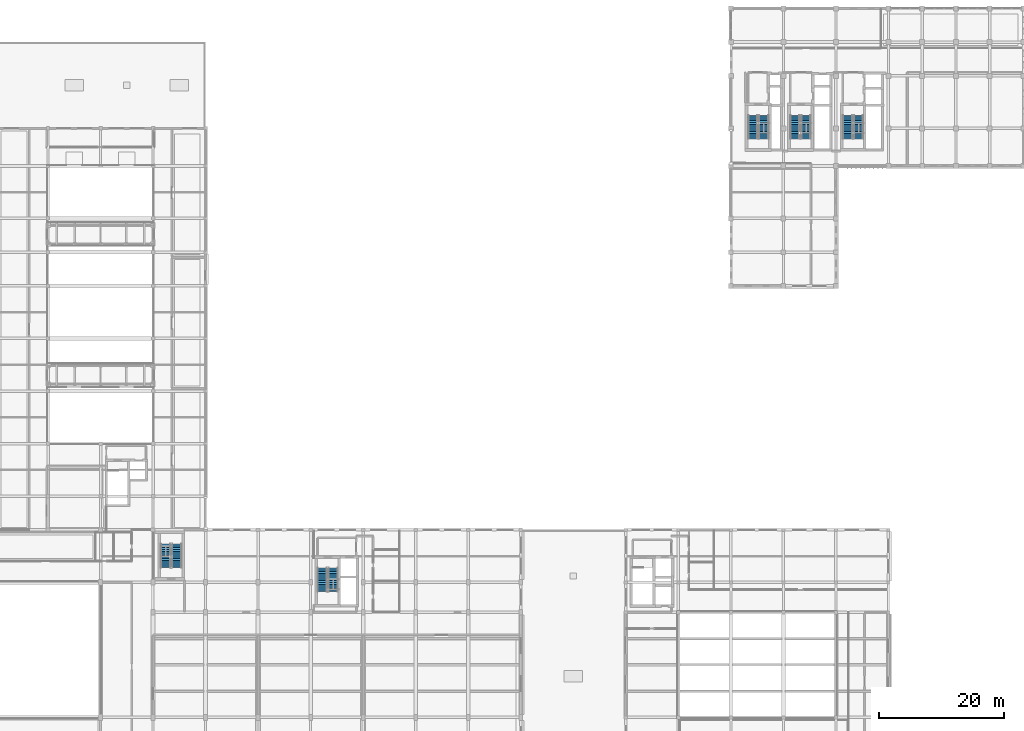
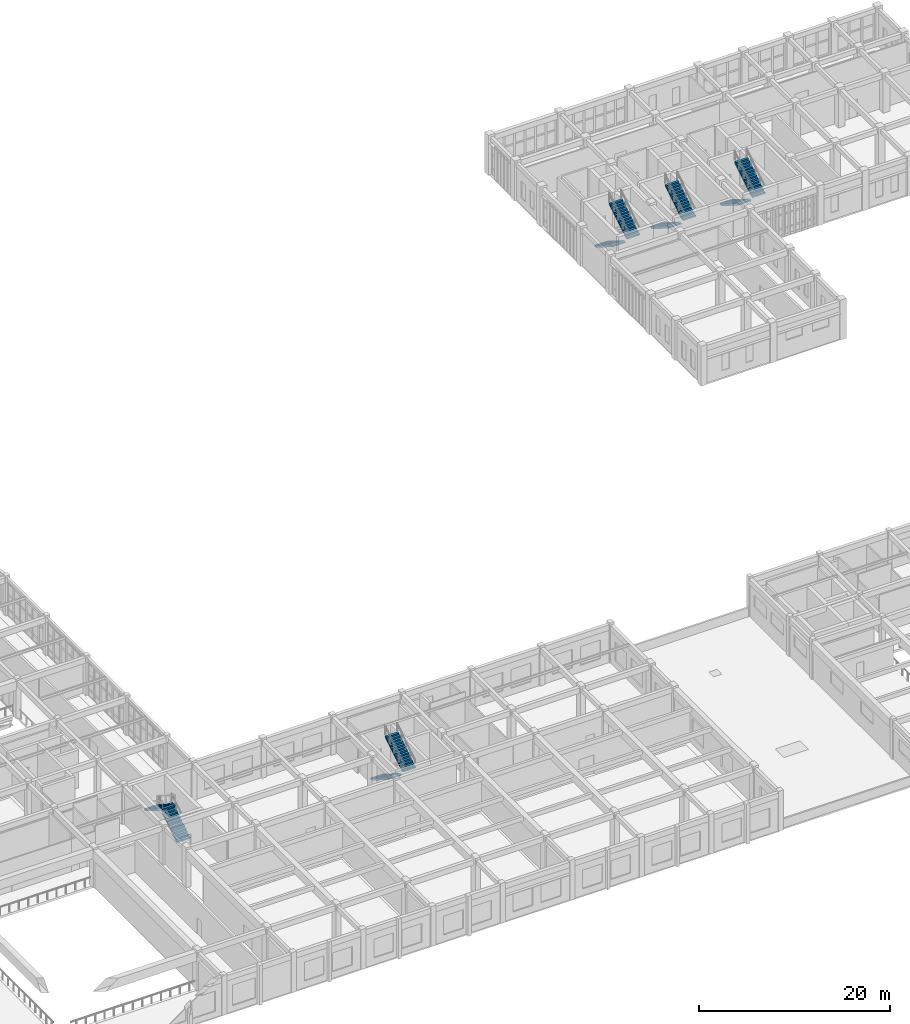
# One storey, part 69 of 77: 10 stair flights, 5 elements without a shape of their own.
"""IFC4 building model written with IfcOpenShell, lengths in metres."""

from ifc_helpers import new_model, si_unit, direction, frame, origin, place, context, subcontext, project, spatial, polyline, outline, extrude, material, type_object, element, aggregate, save


model = new_model("IFC4")

# Units and contexts
model_context = context("Model", 3, precision=1e-05, world=origin(), true_north=direction((0.0, 1.0)))
body_context = subcontext(model_context, "Body", "Model", "MODEL_VIEW")
ifc_project = project(units=[si_unit("LENGTHUNIT", "METRE"), si_unit("AREAUNIT", "SQUARE_METRE"), si_unit("VOLUMEUNIT", "CUBIC_METRE"), si_unit("PLANEANGLEUNIT", "RADIAN"), si_unit("MASSUNIT", "GRAM", prefix="KILO")], contexts=[model_context])

# Site, building, storey
site_placement = place(None, origin())
site = spatial("IfcSite", under=ifc_project, at=site_placement, CompositionType="ELEMENT")
building_placement = place(site_placement, origin())
building = spatial("IfcBuilding", under=site, at=building_placement, Name="Krzemoval Escarpment Law Courts", CompositionType="ELEMENT")
storey_placement = place(building_placement, frame((0.0, 0.0, 15.300048828125)))
storey = spatial("IfcBuildingStorey", under=building, at=storey_placement, Name="L03", CompositionType="ELEMENT", Elevation=15.300048828125)

# Stair, stair flights
ifc_material_1 = material(Name="Concrete C40/50", Category="concrete")
stair_type_1 = type_object("IfcStairType", Name="STR-CORE-1550", PredefinedType="HALF_TURN_STAIR", material=ifc_material_1)
stair_1_placement = place(storey_placement, origin())
stair_1 = element("IfcStair", 1, at=stair_1_placement, inside=storey, type_object=stair_type_1, Name="L03 ST1", PredefinedType="HALF_TURN_STAIR")
ifc_material_2 = material(Name="Concrete C40/50", Category="concrete")
stair_flight_type_1 = type_object("IfcStairFlightType", Name="STF-CORE-1550", PredefinedType="STRAIGHT", material=ifc_material_2)
stair_flight_1_placement = place(storey_placement, frame((129.52490234375, 101.699951171875, 0.0), z_axis=(0.0, 0.0, 1.0), x_axis=(0.0, -1.0, 0.0)))
stair_flight_1 = element("IfcStairFlight", 2, at=stair_flight_1_placement, type_object=stair_flight_type_1, Name="ST1 flight 1", NumberOfRisers=14, NumberOfTreads=13, PredefinedType="STRAIGHT", RiserHeight=0.182142857, TreadLength=0.29, context=body_context, shape_type="SweptSolid", body=[
    extrude(outline(polyline([(0.0, 0.0), (0.0, 0.18212890625), (0.2900390625, 0.18212890625), (0.2900390625, 0.3642578125), (0.580078125, 0.3642578125), (0.580078125, 0.54638671875), (0.8701171875, 0.54638671875), (0.8701171875, 0.728515625), (1.159912109375, 0.728515625), (1.159912109375, 0.91064453125), (1.449951171875, 0.91064453125), (1.449951171875, 1.0927734375), (1.739990234375, 1.0927734375), (1.739990234375, 1.27490234375), (2.030029296875, 1.27490234375), (2.030029296875, 1.45703125), (2.320068359375, 1.45703125), (2.320068359375, 1.639404296875), (2.610107421875, 1.639404296875), (2.610107421875, 1.821533203125), (2.89990234375, 1.821533203125), (2.89990234375, 2.003662109375), (3.18994140625, 2.003662109375), (3.18994140625, 2.185791015625), (3.47998046875, 2.185791015625), (3.47998046875, 2.367919921875), (3.77001953125, 2.367919921875), (3.77001953125, 2.550048828125), (3.77001953125, 2.19091796875), (0.28173828125, 0.0), (0.0, 0.0)])), frame((0.0, 0.77490234375, 0.0), z_axis=(0.0, -1.0, 0.0), x_axis=(1.0, 0.0, 0.0)), (0.0, 0.0, 1.0), 1.550048828125),
])
stair_flight_2_placement = place(storey_placement, frame((131.27490234375, 97.929931640625, 2.550048828125), z_axis=(0.0, 0.0, 1.0), x_axis=(0.0, 1.0, 0.0)))
stair_flight_2 = element("IfcStairFlight", 3, at=stair_flight_2_placement, type_object=stair_flight_type_1, Name="ST1 flight 2", NumberOfRisers=14, NumberOfTreads=13, PredefinedType="STRAIGHT", RiserHeight=0.182142857, TreadLength=0.29, context=body_context, shape_type="SweptSolid", body=[
    extrude(outline(polyline([(0.0, 0.0), (0.0, 0.18212890625), (0.2900390625, 0.18212890625), (0.2900390625, 0.3642578125), (0.580078125, 0.3642578125), (0.580078125, 0.54638671875), (0.8701171875, 0.54638671875), (0.8701171875, 0.728515625), (1.159912109375, 0.728515625), (1.159912109375, 0.91064453125), (1.449951171875, 0.91064453125), (1.449951171875, 1.0927734375), (1.739990234375, 1.0927734375), (1.739990234375, 1.27490234375), (2.030029296875, 1.27490234375), (2.030029296875, 1.45703125), (2.320068359375, 1.45703125), (2.320068359375, 1.639404296875), (2.610107421875, 1.639404296875), (2.610107421875, 1.821533203125), (2.89990234375, 1.821533203125), (2.89990234375, 2.003662109375), (3.18994140625, 2.003662109375), (3.18994140625, 2.185791015625), (3.47998046875, 2.185791015625), (3.47998046875, 2.367919921875), (3.77001953125, 2.367919921875), (3.77001953125, 2.550048828125), (3.77001953125, 2.19091796875), (0.28173828125, 0.0), (0.0, 0.0)])), frame((0.0, 0.77490234375, 0.0), z_axis=(0.0, -1.0, 0.0), x_axis=(1.0, 0.0, 0.0)), (0.0, 0.0, 1.0), 1.550048828125),
])
aggregate(stair_1, [stair_flight_1, stair_flight_2])

stair_2_placement = place(storey_placement, origin())
stair_2 = element("IfcStair", 4, at=stair_2_placement, inside=storey, type_object=stair_type_1, Name="L03 ST2", PredefinedType="HALF_TURN_STAIR")
stair_flight_3_placement = place(storey_placement, frame((136.27490234375, 101.699951171875, 0.0), z_axis=(0.0, 0.0, 1.0), x_axis=(0.0, -1.0, 0.0)))
stair_flight_3 = element("IfcStairFlight", 5, at=stair_flight_3_placement, type_object=stair_flight_type_1, Name="ST2 flight 1", NumberOfRisers=14, NumberOfTreads=13, PredefinedType="STRAIGHT", RiserHeight=0.182142857, TreadLength=0.29, context=body_context, shape_type="SweptSolid", body=[
    extrude(outline(polyline([(0.0, 0.0), (0.0, 0.18212890625), (0.2900390625, 0.18212890625), (0.2900390625, 0.3642578125), (0.580078125, 0.3642578125), (0.580078125, 0.54638671875), (0.8701171875, 0.54638671875), (0.8701171875, 0.728515625), (1.159912109375, 0.728515625), (1.159912109375, 0.91064453125), (1.449951171875, 0.91064453125), (1.449951171875, 1.0927734375), (1.739990234375, 1.0927734375), (1.739990234375, 1.27490234375), (2.030029296875, 1.27490234375), (2.030029296875, 1.45703125), (2.320068359375, 1.45703125), (2.320068359375, 1.639404296875), (2.610107421875, 1.639404296875), (2.610107421875, 1.821533203125), (2.89990234375, 1.821533203125), (2.89990234375, 2.003662109375), (3.18994140625, 2.003662109375), (3.18994140625, 2.185791015625), (3.47998046875, 2.185791015625), (3.47998046875, 2.367919921875), (3.77001953125, 2.367919921875), (3.77001953125, 2.550048828125), (3.77001953125, 2.19091796875), (0.28173828125, 0.0), (0.0, 0.0)])), frame((0.0, 0.77490234375, 0.0), z_axis=(0.0, -1.0, 0.0), x_axis=(1.0, 0.0, 0.0)), (0.0, 0.0, 1.0), 1.550048828125),
])
stair_flight_4_placement = place(storey_placement, frame((138.02490234375, 97.929931640625, 2.550048828125), z_axis=(0.0, 0.0, 1.0), x_axis=(0.0, 1.0, 0.0)))
stair_flight_4 = element("IfcStairFlight", 6, at=stair_flight_4_placement, type_object=stair_flight_type_1, Name="ST2 flight 2", NumberOfRisers=14, NumberOfTreads=13, PredefinedType="STRAIGHT", RiserHeight=0.182142857, TreadLength=0.29, context=body_context, shape_type="SweptSolid", body=[
    extrude(outline(polyline([(0.0, 0.0), (0.0, 0.18212890625), (0.2900390625, 0.18212890625), (0.2900390625, 0.3642578125), (0.580078125, 0.3642578125), (0.580078125, 0.54638671875), (0.8701171875, 0.54638671875), (0.8701171875, 0.728515625), (1.159912109375, 0.728515625), (1.159912109375, 0.91064453125), (1.449951171875, 0.91064453125), (1.449951171875, 1.0927734375), (1.739990234375, 1.0927734375), (1.739990234375, 1.27490234375), (2.030029296875, 1.27490234375), (2.030029296875, 1.45703125), (2.320068359375, 1.45703125), (2.320068359375, 1.639404296875), (2.610107421875, 1.639404296875), (2.610107421875, 1.821533203125), (2.89990234375, 1.821533203125), (2.89990234375, 2.003662109375), (3.18994140625, 2.003662109375), (3.18994140625, 2.185791015625), (3.47998046875, 2.185791015625), (3.47998046875, 2.367919921875), (3.77001953125, 2.367919921875), (3.77001953125, 2.550048828125), (3.77001953125, 2.19091796875), (0.28173828125, 0.0), (0.0, 0.0)])), frame((0.0, 0.77490234375, 0.0), z_axis=(0.0, -1.0, 0.0), x_axis=(1.0, 0.0, 0.0)), (0.0, 0.0, 1.0), 1.550048828125),
])
aggregate(stair_2, [stair_flight_3, stair_flight_4])

stair_3_placement = place(storey_placement, origin())
stair_3 = element("IfcStair", 7, at=stair_3_placement, inside=storey, type_object=stair_type_1, Name="L03 ST3", PredefinedType="HALF_TURN_STAIR")
stair_flight_5_placement = place(storey_placement, frame((144.675048828125, 101.699951171875, 0.0), z_axis=(0.0, 0.0, 1.0), x_axis=(0.0, -1.0, 0.0)))
stair_flight_5 = element("IfcStairFlight", 8, at=stair_flight_5_placement, type_object=stair_flight_type_1, Name="ST3 flight 1", NumberOfRisers=14, NumberOfTreads=13, PredefinedType="STRAIGHT", RiserHeight=0.182142857, TreadLength=0.29, context=body_context, shape_type="SweptSolid", body=[
    extrude(outline(polyline([(0.0, 0.0), (0.0, 0.18212890625), (0.2900390625, 0.18212890625), (0.2900390625, 0.3642578125), (0.580078125, 0.3642578125), (0.580078125, 0.54638671875), (0.8701171875, 0.54638671875), (0.8701171875, 0.728515625), (1.159912109375, 0.728515625), (1.159912109375, 0.91064453125), (1.449951171875, 0.91064453125), (1.449951171875, 1.0927734375), (1.739990234375, 1.0927734375), (1.739990234375, 1.27490234375), (2.030029296875, 1.27490234375), (2.030029296875, 1.45703125), (2.320068359375, 1.45703125), (2.320068359375, 1.639404296875), (2.610107421875, 1.639404296875), (2.610107421875, 1.821533203125), (2.89990234375, 1.821533203125), (2.89990234375, 2.003662109375), (3.18994140625, 2.003662109375), (3.18994140625, 2.185791015625), (3.47998046875, 2.185791015625), (3.47998046875, 2.367919921875), (3.77001953125, 2.367919921875), (3.77001953125, 2.550048828125), (3.77001953125, 2.19091796875), (0.28173828125, 0.0), (0.0, 0.0)])), frame((0.0, 0.77490234375, 0.0), z_axis=(0.0, -1.0, 0.0), x_axis=(1.0, 0.0, 0.0)), (0.0, 0.0, 1.0), 1.550048828125),
])
stair_flight_6_placement = place(storey_placement, frame((146.425048828125, 97.929931640625, 2.550048828125), z_axis=(0.0, 0.0, 1.0), x_axis=(0.0, 1.0, 0.0)))
stair_flight_6 = element("IfcStairFlight", 9, at=stair_flight_6_placement, type_object=stair_flight_type_1, Name="ST3 flight 2", NumberOfRisers=14, NumberOfTreads=13, PredefinedType="STRAIGHT", RiserHeight=0.182142857, TreadLength=0.29, context=body_context, shape_type="SweptSolid", body=[
    extrude(outline(polyline([(0.0, 0.0), (0.0, 0.18212890625), (0.2900390625, 0.18212890625), (0.2900390625, 0.3642578125), (0.580078125, 0.3642578125), (0.580078125, 0.54638671875), (0.8701171875, 0.54638671875), (0.8701171875, 0.728515625), (1.159912109375, 0.728515625), (1.159912109375, 0.91064453125), (1.449951171875, 0.91064453125), (1.449951171875, 1.0927734375), (1.739990234375, 1.0927734375), (1.739990234375, 1.27490234375), (2.030029296875, 1.27490234375), (2.030029296875, 1.45703125), (2.320068359375, 1.45703125), (2.320068359375, 1.639404296875), (2.610107421875, 1.639404296875), (2.610107421875, 1.821533203125), (2.89990234375, 1.821533203125), (2.89990234375, 2.003662109375), (3.18994140625, 2.003662109375), (3.18994140625, 2.185791015625), (3.47998046875, 2.185791015625), (3.47998046875, 2.367919921875), (3.77001953125, 2.367919921875), (3.77001953125, 2.550048828125), (3.77001953125, 2.19091796875), (0.28173828125, 0.0), (0.0, 0.0)])), frame((0.0, 0.77490234375, 0.0), z_axis=(0.0, -1.0, 0.0), x_axis=(1.0, 0.0, 0.0)), (0.0, 0.0, 1.0), 1.550048828125),
])
aggregate(stair_3, [stair_flight_5, stair_flight_6])

stair_4_placement = place(storey_placement, origin())
stair_4 = element("IfcStair", 10, at=stair_4_placement, inside=storey, type_object=stair_type_1, Name="L03 ST4", PredefinedType="HALF_TURN_STAIR")
stair_flight_7_placement = place(storey_placement, frame((60.675048828125, 29.300048828125, 0.0), z_axis=(0.0, 0.0, 1.0), x_axis=(0.0, -1.0, 0.0)))
stair_flight_7 = element("IfcStairFlight", 11, at=stair_flight_7_placement, type_object=stair_flight_type_1, Name="ST4 flight 1", NumberOfRisers=14, NumberOfTreads=13, PredefinedType="STRAIGHT", RiserHeight=0.182142857, TreadLength=0.29, context=body_context, shape_type="SweptSolid", body=[
    extrude(outline(polyline([(0.0, 0.0), (0.0, 0.18212890625), (0.2900390625, 0.18212890625), (0.2900390625, 0.3642578125), (0.580078125, 0.3642578125), (0.580078125, 0.54638671875), (0.8701171875, 0.54638671875), (0.8701171875, 0.728515625), (1.159912109375, 0.728515625), (1.159912109375, 0.91064453125), (1.449951171875, 0.91064453125), (1.449951171875, 1.0927734375), (1.739990234375, 1.0927734375), (1.739990234375, 1.27490234375), (2.030029296875, 1.27490234375), (2.030029296875, 1.45703125), (2.320068359375, 1.45703125), (2.320068359375, 1.639404296875), (2.610107421875, 1.639404296875), (2.610107421875, 1.821533203125), (2.89990234375, 1.821533203125), (2.89990234375, 2.003662109375), (3.18994140625, 2.003662109375), (3.18994140625, 2.185791015625), (3.47998046875, 2.185791015625), (3.47998046875, 2.367919921875), (3.77001953125, 2.367919921875), (3.77001953125, 2.550048828125), (3.77001953125, 2.19091796875), (0.28173828125, 0.0), (0.0, 0.0)])), frame((0.0, 0.77490234375, 0.0), z_axis=(0.0, -1.0, 0.0), x_axis=(1.0, 0.0, 0.0)), (0.0, 0.0, 1.0), 1.550048828125),
])
stair_flight_8_placement = place(storey_placement, frame((62.425048828125, 25.530029296875, 2.550048828125), z_axis=(0.0, 0.0, 1.0), x_axis=(0.0, 1.0, 0.0)))
stair_flight_8 = element("IfcStairFlight", 12, at=stair_flight_8_placement, type_object=stair_flight_type_1, Name="ST4 flight 2", NumberOfRisers=14, NumberOfTreads=13, PredefinedType="STRAIGHT", RiserHeight=0.182142857, TreadLength=0.29, context=body_context, shape_type="SweptSolid", body=[
    extrude(outline(polyline([(0.0, 0.0), (0.0, 0.18212890625), (0.2900390625, 0.18212890625), (0.2900390625, 0.3642578125), (0.580078125, 0.3642578125), (0.580078125, 0.54638671875), (0.8701171875, 0.54638671875), (0.8701171875, 0.728515625), (1.159912109375, 0.728515625), (1.159912109375, 0.91064453125), (1.449951171875, 0.91064453125), (1.449951171875, 1.0927734375), (1.739990234375, 1.0927734375), (1.739990234375, 1.27490234375), (2.030029296875, 1.27490234375), (2.030029296875, 1.45703125), (2.320068359375, 1.45703125), (2.320068359375, 1.639404296875), (2.610107421875, 1.639404296875), (2.610107421875, 1.821533203125), (2.89990234375, 1.821533203125), (2.89990234375, 2.003662109375), (3.18994140625, 2.003662109375), (3.18994140625, 2.185791015625), (3.47998046875, 2.185791015625), (3.47998046875, 2.367919921875), (3.77001953125, 2.367919921875), (3.77001953125, 2.550048828125), (3.77001953125, 2.19091796875), (0.28173828125, 0.0), (0.0, 0.0)])), frame((0.0, 0.77490234375, 0.0), z_axis=(0.0, -1.0, 0.0), x_axis=(1.0, 0.0, 0.0)), (0.0, 0.0, 1.0), 1.550048828125),
])
aggregate(stair_4, [stair_flight_7, stair_flight_8])

ifc_material_3 = material(Name="Concrete C40/50", Category="concrete")
stair_type_2 = type_object("IfcStairType", Name="STR-CORE-1600", PredefinedType="HALF_TURN_STAIR", material=ifc_material_3)
stair_5_placement = place(storey_placement, origin())
stair_5 = element("IfcStair", 13, at=stair_5_placement, inside=storey, type_object=stair_type_2, Name="L03 ST9", PredefinedType="HALF_TURN_STAIR")
ifc_material_4 = material(Name="Concrete C40/50", Category="concrete")
stair_flight_type_2 = type_object("IfcStairFlightType", Name="STF-CORE-1600", PredefinedType="STRAIGHT", material=ifc_material_4)
stair_flight_9_placement = place(storey_placement, frame((37.39990234375, 29.35009765625, 0.0), z_axis=(0.0, 0.0, 1.0), x_axis=(0.0, 1.0, 0.0)))
stair_flight_9 = element("IfcStairFlight", 14, at=stair_flight_9_placement, type_object=stair_flight_type_2, Name="ST9 flight 1", NumberOfRisers=14, NumberOfTreads=13, PredefinedType="STRAIGHT", RiserHeight=0.182142857, TreadLength=0.29, context=body_context, shape_type="SweptSolid", body=[
    extrude(outline(polyline([(0.0, 0.0), (0.0, 0.18212890625), (0.2900390625, 0.18212890625), (0.2900390625, 0.3642578125), (0.580078125, 0.3642578125), (0.580078125, 0.54638671875), (0.8701171875, 0.54638671875), (0.8701171875, 0.728515625), (1.159912109375, 0.728515625), (1.159912109375, 0.91064453125), (1.449951171875, 0.91064453125), (1.449951171875, 1.0927734375), (1.739990234375, 1.0927734375), (1.739990234375, 1.27490234375), (2.030029296875, 1.27490234375), (2.030029296875, 1.45703125), (2.320068359375, 1.45703125), (2.320068359375, 1.639404296875), (2.610107421875, 1.639404296875), (2.610107421875, 1.821533203125), (2.89990234375, 1.821533203125), (2.89990234375, 2.003662109375), (3.18994140625, 2.003662109375), (3.18994140625, 2.185791015625), (3.47998046875, 2.185791015625), (3.47998046875, 2.367919921875), (3.77001953125, 2.367919921875), (3.77001953125, 2.550048828125), (3.77001953125, 2.19091796875), (0.28173828125, 0.0), (0.0, 0.0)])), frame((0.0, 0.800048828125, 0.0), z_axis=(0.0, -1.0, 0.0), x_axis=(1.0, 0.0, 0.0)), (0.0, 0.0, 1.0), 1.60009765625),
])
stair_flight_10_placement = place(storey_placement, frame((35.60009765625, 33.1201171875, 2.550048828125), z_axis=(0.0, 0.0, 1.0), x_axis=(0.0, -1.0, 0.0)))
stair_flight_10 = element("IfcStairFlight", 15, at=stair_flight_10_placement, type_object=stair_flight_type_2, Name="ST9 flight 2", NumberOfRisers=14, NumberOfTreads=13, PredefinedType="STRAIGHT", RiserHeight=0.182142857, TreadLength=0.29, context=body_context, shape_type="SweptSolid", body=[
    extrude(outline(polyline([(0.0, 0.0), (0.0, 0.18212890625), (0.2900390625, 0.18212890625), (0.2900390625, 0.3642578125), (0.580078125, 0.3642578125), (0.580078125, 0.54638671875), (0.8701171875, 0.54638671875), (0.8701171875, 0.728515625), (1.159912109375, 0.728515625), (1.159912109375, 0.91064453125), (1.449951171875, 0.91064453125), (1.449951171875, 1.0927734375), (1.739990234375, 1.0927734375), (1.739990234375, 1.27490234375), (2.030029296875, 1.27490234375), (2.030029296875, 1.45703125), (2.320068359375, 1.45703125), (2.320068359375, 1.639404296875), (2.610107421875, 1.639404296875), (2.610107421875, 1.821533203125), (2.89990234375, 1.821533203125), (2.89990234375, 2.003662109375), (3.18994140625, 2.003662109375), (3.18994140625, 2.185791015625), (3.47998046875, 2.185791015625), (3.47998046875, 2.367919921875), (3.77001953125, 2.367919921875), (3.77001953125, 2.550048828125), (3.77001953125, 2.19091796875), (0.28173828125, 0.0), (0.0, 0.0)])), frame((0.0, 0.800048828125, 0.0), z_axis=(0.0, -1.0, 0.0), x_axis=(1.0, 0.0, 0.0)), (0.0, 0.0, 1.0), 1.60009765625),
])
aggregate(stair_5, [stair_flight_9, stair_flight_10])

save(model, "model.ifc")
